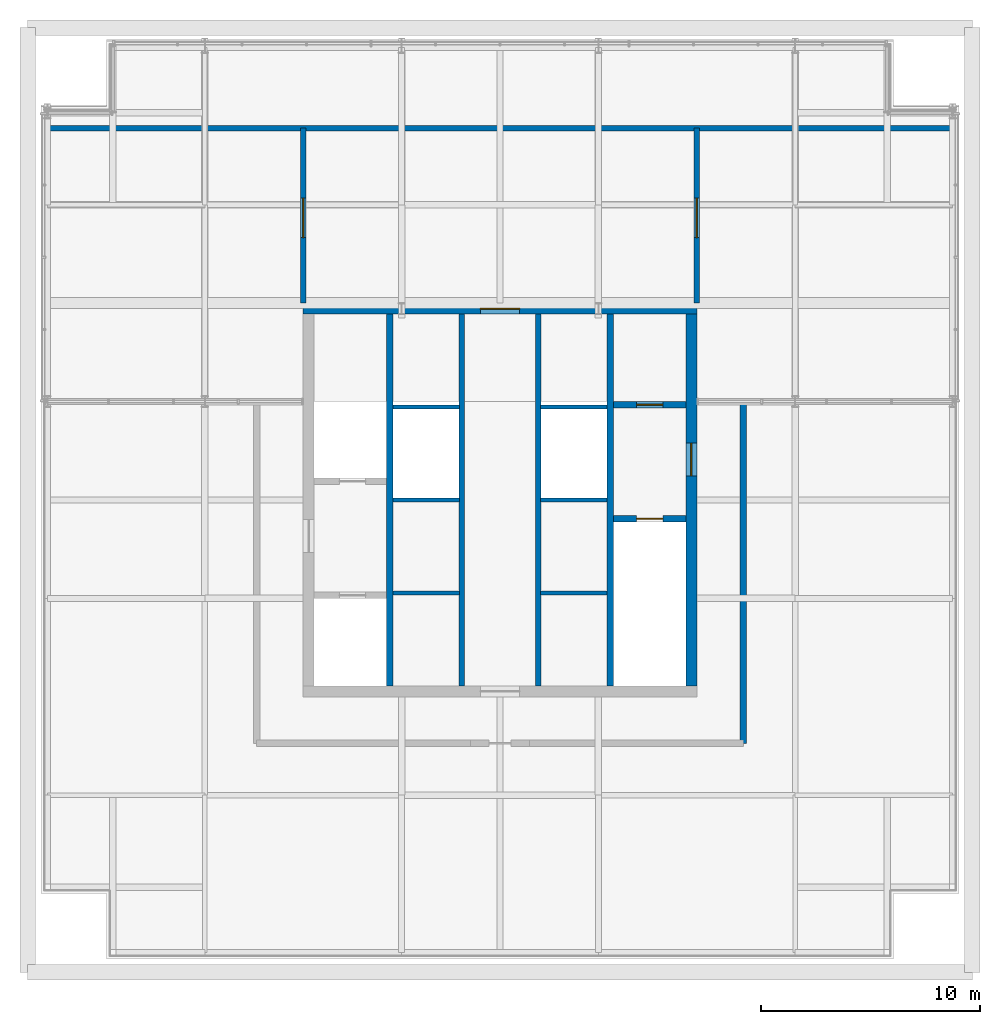
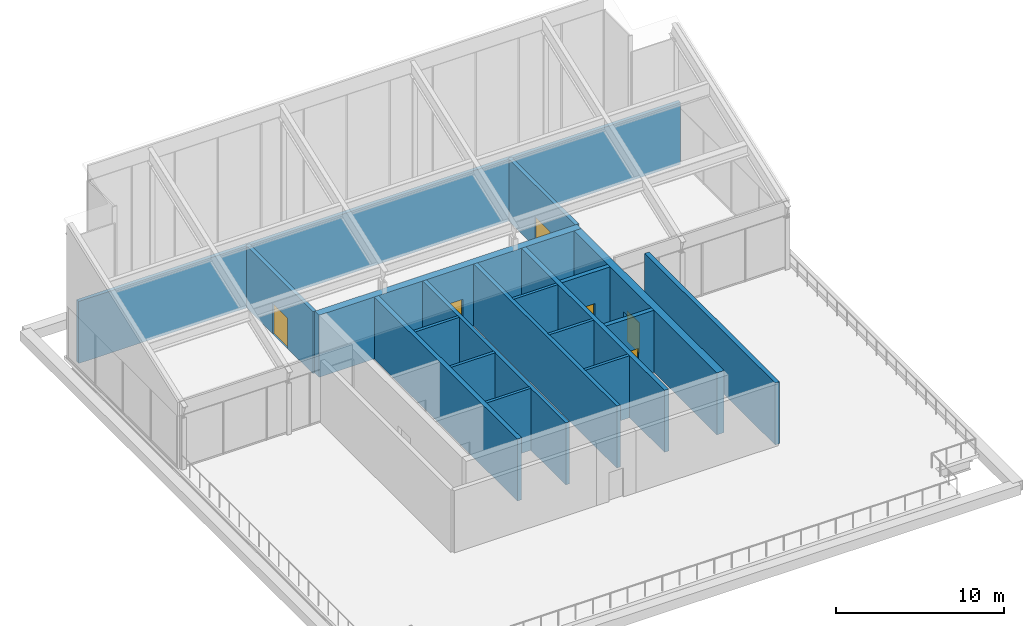
# One storey, part 9 of 10: 18 walls, 6 doors, 6 openings.
"""IFC4 building model written with IfcOpenShell, lengths in metres."""

from ifc_helpers import new_model, si_unit, direction, frame, frame_2d, origin, place, context, subcontext, project, spatial, rectangle, extrude, material, layer, layer_set, type_object, element, fill, save


model = new_model("IFC4")

# Units and contexts
model_context = context("Model", 3, precision=1e-05, world=origin(), true_north=direction((0.0, 1.0)))
body_context = subcontext(model_context, "Body", "Model", "MODEL_VIEW")
ifc_project = project(units=[si_unit("LENGTHUNIT", "METRE"), si_unit("AREAUNIT", "SQUARE_METRE"), si_unit("VOLUMEUNIT", "CUBIC_METRE"), si_unit("PLANEANGLEUNIT", "RADIAN"), si_unit("MASSUNIT", "GRAM", prefix="KILO")], contexts=[model_context])

# Site, building, storey
site_placement = place(None, origin())
site = spatial("IfcSite", under=ifc_project, at=site_placement, CompositionType="ELEMENT")
building_placement = place(site_placement, origin())
building = spatial("IfcBuilding", under=site, at=building_placement, Name="Malebo Sky Hospital", CompositionType="ELEMENT")
storey_placement = place(building_placement, frame((0.0, 0.0, 290.0)))
storey = spatial("IfcBuildingStorey", under=building, at=storey_placement, Name="RF", CompositionType="ELEMENT", Elevation=290.0)

# Walls
ifc_material_1 = material(Name="Concrete C80/95", Category="concrete")
ifc_layer_1 = layer(ifc_material_1, 0.199951171875)
ifc_layer_set_1 = layer_set([ifc_layer_1], Name="CORE INNER WALL 200")
wall_type_1 = type_object("IfcWallType", Name="CORE INNER WALL 200", PredefinedType="SHEAR", material=ifc_layer_set_1)
for number, where, z_axis, x_axis, name in (
    (1, (55.10009765625, 57.75, 0.0), (0.0, 0.0, 1.0), (1.0, 0.0, 0.0), "Core wall SW0 RF"),
    (2, (61.85009765625, 57.75, 0.0), (0.0, 0.0, 1.0), (1.0, 0.0, 0.0), "Core wall SE0 RF"),
    (3, (55.10009765625, 62.0, 0.0), (0.0, 0.0, 1.0), (1.0, 0.0, 0.0), "Core wall SW1 RF"),
    (4, (61.85009765625, 62.0, 0.0), (0.0, 0.0, 1.0), (1.0, 0.0, 0.0), "Core wall SE1 RF"),
    (5, (55.10009765625, 66.25, 0.0), (0.0, 0.0, 1.0), (1.0, 0.0, 0.0), "Core wall SW2 RF"),
    (6, (61.85009765625, 66.25, 0.0), (0.0, 0.0, 1.0), (1.0, 0.0, 0.0), "Core wall SE2 RF"),
):
    element("IfcWall", number, at=place(storey_placement, frame(where, z_axis=z_axis, x_axis=x_axis)), inside=storey, type_object=wall_type_1, Name=name, PredefinedType="SHEAR", context=body_context, shape_type="SweptSolid", body=[
        extrude(rectangle(XDim=3.0498046875, YDim=0.199951171875, at=frame_2d((1.52490234375, 0.0))), origin(), (0.0, 0.0, 1.0), 4.5),
    ])
ifc_layer_2 = layer(ifc_material_1, 0.25)
ifc_layer_set_2 = layer_set([ifc_layer_2], Name="CORE INNER WALL 250")
wall_type_2 = type_object("IfcWallType", Name="CORE INNER WALL 250", PredefinedType="SHEAR", material=ifc_layer_set_2)
for number, where, z_axis, x_axis, name in (
    (7, (58.25, 53.5, 0.0), (0.0, 0.0, 1.0), (0.0, 1.0, 0.0), "Core wall LW RF"),
    (8, (61.75, 53.5, 0.0), (0.0, 0.0, 1.0), (0.0, 1.0, 0.0), "Core wall LE RF"),
):
    element("IfcWall", number, at=place(storey_placement, frame(where, z_axis=z_axis, x_axis=x_axis)), inside=storey, type_object=wall_type_2, Name=name, PredefinedType="SHEAR", context=body_context, shape_type="SweptSolid", body=[
        extrude(rectangle(XDim=17.0, YDim=0.25, at=frame_2d((8.5, 0.0))), origin(), (0.0, 0.0, 1.0), 4.5),
    ])
ifc_layer_3 = layer(ifc_material_1, 0.300048828125)
ifc_layer_set_3 = layer_set([ifc_layer_3], Name="CORE INNER WALL 300")
wall_type_3 = type_object("IfcWallType", Name="CORE INNER WALL 300", PredefinedType="SHEAR", material=ifc_layer_set_3)
for number, where, z_axis, x_axis, name in (
    (9, (54.949951171875, 53.5, 0.0), (0.0, 0.0, 1.0), (0.0, 1.0, 0.0), "Core wall XW RF"),
    (10, (65.050048828125, 53.5, 0.0), (0.0, 0.0, 1.0), (0.0, 1.0, 0.0), "Core wall XE RF"),
):
    element("IfcWall", number, at=place(storey_placement, frame(where, z_axis=z_axis, x_axis=x_axis)), inside=storey, type_object=wall_type_3, Name=name, PredefinedType="SHEAR", context=body_context, shape_type="SweptSolid", body=[
        extrude(rectangle(XDim=17.0, YDim=0.300048828125, at=frame_2d((8.5, 0.0))), origin(), (0.0, 0.0, 1.0), 4.5),
    ])

# Wall, opening, door
wall_1_placement = place(storey_placement, frame((65.199951171875, 61.14990234375, 0.0), z_axis=(0.0, 0.0, 1.0), x_axis=(1.0, 0.0, 0.0)))
wall_1 = element("IfcWall", 11, at=wall_1_placement, inside=storey, type_object=wall_type_3, Name="Core wall E1 RF", PredefinedType="SHEAR", context=body_context, shape_type="SweptSolid", body=[
    extrude(rectangle(XDim=3.300048828125, YDim=0.300048828125, at=frame_2d((1.64990234375, 0.0))), origin(), (0.0, 0.0, 1.0), 4.5),
])
opening_1_placement = place(wall_1_placement, frame((1.050048828125, 0.0, 0.0)))
opening_1 = element("IfcOpeningElement", 12, at=opening_1_placement, cuts=wall_1, Name="Opening D08", PredefinedType="OPENING", context=body_context, shape_type="SweptSolid", body=[
    extrude(rectangle(XDim=1.199951171875, YDim=2.10009765625, at=frame_2d((0.60009765625, 1.050048828125))), frame((0.0, 0.159912109375, 0.0), z_axis=(0.0, -1.0, 0.0), x_axis=(1.0, 0.0, 0.0)), (0.0, 0.0, 1.0), 0.320068359375),
])
ifc_material_2 = material(Name="Hardwood-faced door leaf in steel frame", Category="steel")
door_type_1 = type_object("IfcDoorType", Name="STAIR DOOR 1200", OperationType="SINGLE_SWING_LEFT", PredefinedType="DOOR", material=ifc_material_2)
door_1_placement = place(opening_1_placement, origin())
door_1 = element("IfcDoor", 13, at=door_1_placement, inside=storey, type_object=door_type_1, Name="Stair S2 door", OperationType="SINGLE_SWING_LEFT", OverallHeight=2.10009765625, OverallWidth=1.199951171875, PredefinedType="DOOR", context=body_context, shape_type="SweptSolid", body=[
    extrude(rectangle(XDim=1.199951171875, YDim=2.10009765625, at=frame_2d((0.60009765625, 1.050048828125))), frame((0.0, 0.02490234375, 0.0), z_axis=(0.0, -1.0, 0.0), x_axis=(1.0, 0.0, 0.0)), (0.0, 0.0, 1.0), 0.050048828125),
])
fill(opening_1, door_1)

wall_2_placement = place(storey_placement, frame((65.199951171875, 66.35009765625, 0.0), z_axis=(0.0, 0.0, 1.0), x_axis=(1.0, 0.0, 0.0)))
wall_2 = element("IfcWall", 14, at=wall_2_placement, inside=storey, type_object=wall_type_3, Name="Core wall E2 RF", PredefinedType="SHEAR", context=body_context, shape_type="SweptSolid", body=[
    extrude(rectangle(XDim=3.300048828125, YDim=0.300048828125, at=frame_2d((1.64990234375, 0.0))), origin(), (0.0, 0.0, 1.0), 4.5),
])
opening_2_placement = place(wall_2_placement, frame((1.050048828125, 0.0, 0.0)))
opening_2 = element("IfcOpeningElement", 15, at=opening_2_placement, cuts=wall_2, Name="Opening LD2", PredefinedType="OPENING", context=body_context, shape_type="SweptSolid", body=[
    extrude(rectangle(XDim=1.199951171875, YDim=2.199951171875, at=frame_2d((0.60009765625, 1.10009765625))), frame((0.0, 0.159912109375, 0.0), z_axis=(0.0, -1.0, 0.0), x_axis=(1.0, 0.0, 0.0)), (0.0, 0.0, 1.0), 0.320068359375),
])
ifc_material_3 = material(Name="Stainless steel sliding landing door", Category="steel")
door_type_2 = type_object("IfcDoorType", Name="FIRE-FIGHTING LIFT LANDING DOOR 1200", OperationType="SLIDING_TO_LEFT", PredefinedType="DOOR", material=ifc_material_3)
door_2_placement = place(opening_2_placement, origin())
door_2 = element("IfcDoor", 16, at=door_2_placement, inside=storey, type_object=door_type_2, Name="Lift FL2 landing door", OperationType="SLIDING_TO_LEFT", OverallHeight=2.199951171875, OverallWidth=1.199951171875, PredefinedType="DOOR", context=body_context, shape_type="SweptSolid", body=[
    extrude(rectangle(XDim=1.199951171875, YDim=2.199951171875, at=frame_2d((0.60009765625, 1.10009765625))), frame((0.0, 0.02490234375, 0.0), z_axis=(0.0, -1.0, 0.0), x_axis=(1.0, 0.0, 0.0)), (0.0, 0.0, 1.0), 0.050048828125),
])
fill(opening_2, door_2)

ifc_layer_4 = layer(ifc_material_1, 0.5)
ifc_layer_set_4 = layer_set([ifc_layer_4], Name="CORE WALL 500")
wall_type_4 = type_object("IfcWallType", Name="CORE WALL 500", PredefinedType="SHEAR", material=ifc_layer_set_4)
wall_3_placement = place(storey_placement, frame((51.0, 70.75, 0.0), z_axis=(0.0, 0.0, 1.0), x_axis=(1.0, 0.0, 0.0)))
wall_3 = element("IfcWall", 17, at=wall_3_placement, inside=storey, type_object=wall_type_4, Name="Core wall N RF", PredefinedType="SHEAR", context=body_context, shape_type="SweptSolid", body=[
    extrude(rectangle(XDim=18.0, YDim=0.5, at=frame_2d((9.0, 0.0))), origin(), (0.0, 0.0, 1.0), 4.5),
])
opening_3_placement = place(wall_3_placement, frame((8.10009765625, 0.0, 0.0)))
opening_3 = element("IfcOpeningElement", 18, at=opening_3_placement, cuts=wall_3, Name="Opening D06", PredefinedType="OPENING", context=body_context, shape_type="SweptSolid", body=[
    extrude(rectangle(XDim=1.800048828125, YDim=2.199951171875, at=frame_2d((0.89990234375, 1.10009765625))), frame((0.0, 0.260009765625, 0.0), z_axis=(0.0, -1.0, 0.0), x_axis=(1.0, 0.0, 0.0)), (0.0, 0.0, 1.0), 0.52001953125),
])
door_type_3 = type_object("IfcDoorType", Name="LOBBY DOOR PAIR 1800", OperationType="DOUBLE_DOOR_SINGLE_SWING", PredefinedType="DOOR", material=ifc_material_2)
door_3_placement = place(opening_3_placement, origin())
door_3 = element("IfcDoor", 19, at=door_3_placement, inside=storey, type_object=door_type_3, Name="Lift lobby door north", OperationType="DOUBLE_DOOR_SINGLE_SWING", OverallHeight=2.199951171875, OverallWidth=1.800048828125, PredefinedType="DOOR", context=body_context, shape_type="SweptSolid", body=[
    extrude(rectangle(XDim=1.800048828125, YDim=2.199951171875, at=frame_2d((0.89990234375, 1.10009765625))), frame((0.0, 0.02490234375, 0.0), z_axis=(0.0, -1.0, 0.0), x_axis=(1.0, 0.0, 0.0)), (0.0, 0.0, 1.0), 0.050048828125),
])
fill(opening_3, door_3)

wall_4_placement = place(storey_placement, frame((68.75, 53.5, 0.0), z_axis=(0.0, 0.0, 1.0), x_axis=(0.0, 1.0, 0.0)))
wall_4 = element("IfcWall", 20, at=wall_4_placement, inside=storey, type_object=wall_type_4, Name="Core wall E RF", PredefinedType="SHEAR", context=body_context, shape_type="SweptSolid", body=[
    extrude(rectangle(XDim=17.0, YDim=0.5, at=frame_2d((8.5, 0.0))), origin(), (0.0, 0.0, 1.0), 4.5),
])
opening_4_placement = place(wall_4_placement, frame((9.60009765625, 0.0, 0.0)))
opening_4 = element("IfcOpeningElement", 21, at=opening_4_placement, cuts=wall_4, Name="Opening D07", PredefinedType="OPENING", context=body_context, shape_type="SweptSolid", body=[
    extrude(rectangle(XDim=1.5, YDim=2.199951171875, at=frame_2d((0.75, 1.10009765625))), frame((0.0, 0.260009765625, 0.0), z_axis=(0.0, -1.0, 0.0), x_axis=(1.0, 0.0, 0.0)), (0.0, 0.0, 1.0), 0.52001953125),
])
door_type_4 = type_object("IfcDoorType", Name="FIRE-FIGHTING LOBBY DOOR PAIR 1500", OperationType="DOUBLE_DOOR_SINGLE_SWING", PredefinedType="DOOR", material=ifc_material_2)
door_4_placement = place(opening_4_placement, origin())
door_4 = element("IfcDoor", 22, at=door_4_placement, inside=storey, type_object=door_type_4, Name="Fire-fighting lobby door east", OperationType="DOUBLE_DOOR_SINGLE_SWING", OverallHeight=2.199951171875, OverallWidth=1.5, PredefinedType="DOOR", context=body_context, shape_type="SweptSolid", body=[
    extrude(rectangle(XDim=1.5, YDim=2.199951171875, at=frame_2d((0.75, 1.10009765625))), frame((0.0, 0.02490234375, 0.0), z_axis=(0.0, -1.0, 0.0), x_axis=(1.0, 0.0, 0.0)), (0.0, 0.0, 1.0), 0.050048828125),
])
fill(opening_4, door_4)

# Wall
ifc_material_4 = material(Name="Anodised aluminium rainscreen on steel framing", Category="steel")
ifc_layer_5 = layer(ifc_material_4, 0.300048828125)
ifc_layer_set_5 = layer_set([ifc_layer_5], Name="NOTCH RAINSCREEN WALL 300")
wall_type_5 = type_object("IfcWallType", Name="NOTCH RAINSCREEN WALL 300", PredefinedType="ELEMENTEDWALL", material=ifc_layer_set_5)
wall_5_placement = place(storey_placement, frame((71.125, 66.375, 0.0), z_axis=(0.0, 0.0, 1.0), x_axis=(0.0, -1.0, 0.0)))
element("IfcWall", 23, at=wall_5_placement, inside=storey, type_object=wall_type_5, Name="Roof plant corridor flank panel E", PredefinedType="ELEMENTEDWALL", context=body_context, shape_type="SweptSolid", body=[
    extrude(rectangle(XDim=15.5, YDim=0.300048828125, at=frame_2d((7.75, 0.0))), origin(), (0.0, 0.0, 1.0), 4.5),
])

# Wall, opening, door
ifc_material_5 = material(Name="Concrete blockwork", Category="masonry")
ifc_layer_6 = layer(ifc_material_5, 0.25)
ifc_layer_set_6 = layer_set([ifc_layer_6], Name="PLANT ROOM WALL 250")
wall_type_6 = type_object("IfcWallType", Name="PLANT ROOM WALL 250", PredefinedType="SOLIDWALL", material=ifc_layer_set_6)
wall_6_placement = place(storey_placement, frame((51.0, 71.0, 0.0), z_axis=(0.0, 0.0, 1.0), x_axis=(0.0, 1.0, 0.0)))
wall_6 = element("IfcWall", 24, at=wall_6_placement, inside=storey, type_object=wall_type_6, Name="Plant Room Wall 250 RPW", PredefinedType="SOLIDWALL", context=body_context, shape_type="SweptSolid", body=[
    extrude(rectangle(XDim=8.0, YDim=0.25, at=frame_2d((4.0, 0.0))), origin(), (0.0, 0.0, 1.0), 4.5),
])
opening_5_placement = place(wall_6_placement, frame((3.0, 0.0, 0.0)))
opening_5 = element("IfcOpeningElement", 25, at=opening_5_placement, cuts=wall_6, Name="Opening D09", PredefinedType="OPENING", context=body_context, shape_type="SweptSolid", body=[
    extrude(rectangle(XDim=1.800048828125, YDim=2.199951171875, at=frame_2d((0.89990234375, 1.10009765625))), frame((0.0, 0.135009765625, 0.0), z_axis=(0.0, -1.0, 0.0), x_axis=(1.0, 0.0, 0.0)), (0.0, 0.0, 1.0), 0.27001953125),
])
door_type_5 = type_object("IfcDoorType", Name="PLANT ROOM DOOR PAIR 1800", OperationType="DOUBLE_DOOR_SINGLE_SWING", PredefinedType="DOOR", material=ifc_material_2)
door_5_placement = place(opening_5_placement, origin())
door_5 = element("IfcDoor", 26, at=door_5_placement, inside=storey, type_object=door_type_5, Name="Roof plant room west door", OperationType="DOUBLE_DOOR_SINGLE_SWING", OverallHeight=2.199951171875, OverallWidth=1.800048828125, PredefinedType="DOOR", context=body_context, shape_type="SweptSolid", body=[
    extrude(rectangle(XDim=1.800048828125, YDim=2.199951171875, at=frame_2d((0.89990234375, 1.10009765625))), frame((0.0, 0.02490234375, 0.0), z_axis=(0.0, -1.0, 0.0), x_axis=(1.0, 0.0, 0.0)), (0.0, 0.0, 1.0), 0.050048828125),
])
fill(opening_5, door_5)

wall_7_placement = place(storey_placement, frame((69.0, 71.0, 0.0), z_axis=(0.0, 0.0, 1.0), x_axis=(0.0, 1.0, 0.0)))
wall_7 = element("IfcWall", 27, at=wall_7_placement, inside=storey, type_object=wall_type_6, Name="Plant Room Wall 250 RPE", PredefinedType="SOLIDWALL", context=body_context, shape_type="SweptSolid", body=[
    extrude(rectangle(XDim=8.0, YDim=0.25, at=frame_2d((4.0, 0.0))), origin(), (0.0, 0.0, 1.0), 4.5),
])
opening_6_placement = place(wall_7_placement, frame((3.0, 0.0, 0.0)))
opening_6 = element("IfcOpeningElement", 28, at=opening_6_placement, cuts=wall_7, Name="Opening D09", PredefinedType="OPENING", context=body_context, shape_type="SweptSolid", body=[
    extrude(rectangle(XDim=1.800048828125, YDim=2.199951171875, at=frame_2d((0.89990234375, 1.10009765625))), frame((0.0, 0.135009765625, 0.0), z_axis=(0.0, -1.0, 0.0), x_axis=(1.0, 0.0, 0.0)), (0.0, 0.0, 1.0), 0.27001953125),
])
door_6_placement = place(opening_6_placement, origin())
door_6 = element("IfcDoor", 29, at=door_6_placement, inside=storey, type_object=door_type_5, Name="Roof plant room east door", OperationType="DOUBLE_DOOR_SINGLE_SWING", OverallHeight=2.199951171875, OverallWidth=1.800048828125, PredefinedType="DOOR", context=body_context, shape_type="SweptSolid", body=[
    extrude(rectangle(XDim=1.800048828125, YDim=2.199951171875, at=frame_2d((0.89990234375, 1.10009765625))), frame((0.0, 0.02490234375, 0.0), z_axis=(0.0, -1.0, 0.0), x_axis=(1.0, 0.0, 0.0)), (0.0, 0.0, 1.0), 0.050048828125),
])
fill(opening_6, door_6)

# Wall
wall_8_placement = place(storey_placement, frame((39.35009765625, 79.0, 0.0), z_axis=(0.0, 0.0, 1.0), x_axis=(1.0, 0.0, 0.0)))
element("IfcWall", 30, at=wall_8_placement, inside=storey, type_object=wall_type_6, Name="Plant Room Wall 250 RPN", PredefinedType="SOLIDWALL", context=body_context, shape_type="SweptSolid", body=[
    extrude(rectangle(XDim=41.2998046875, YDim=0.25, at=frame_2d((20.64990234375, 0.0))), origin(), (0.0, 0.0, 1.0), 4.5),
])

save(model, "model.ifc")
